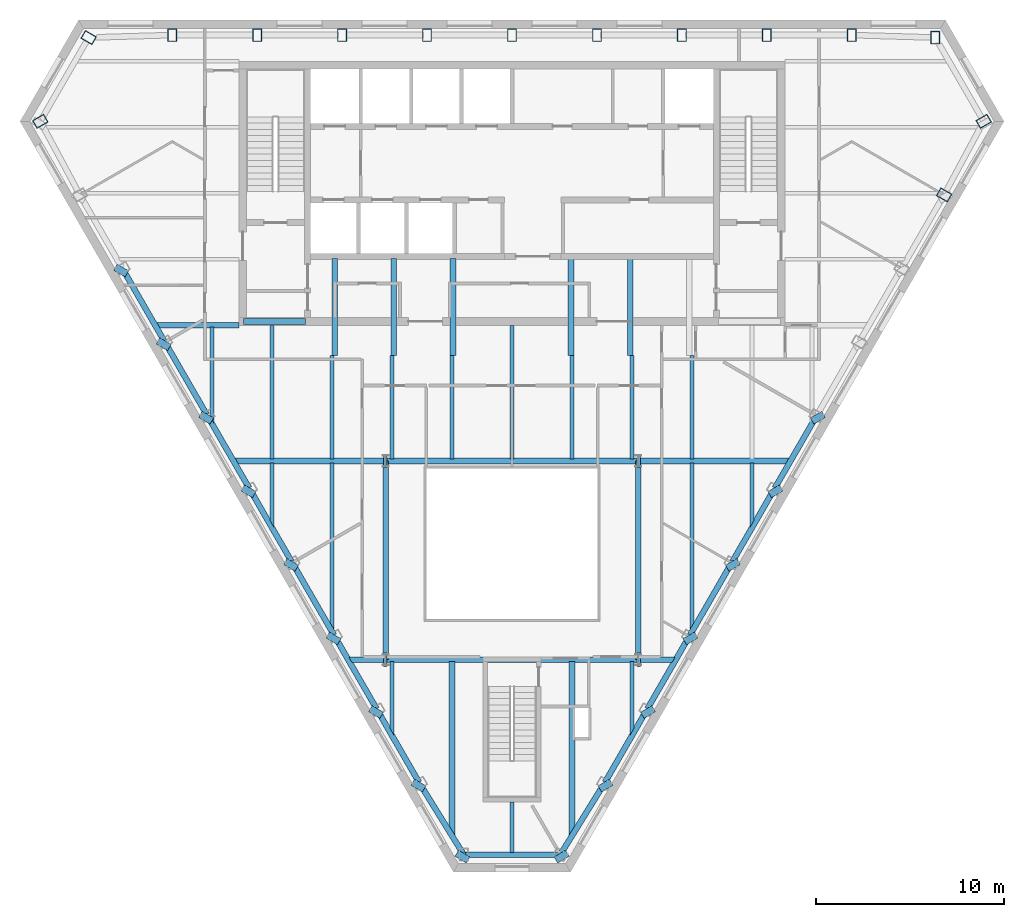
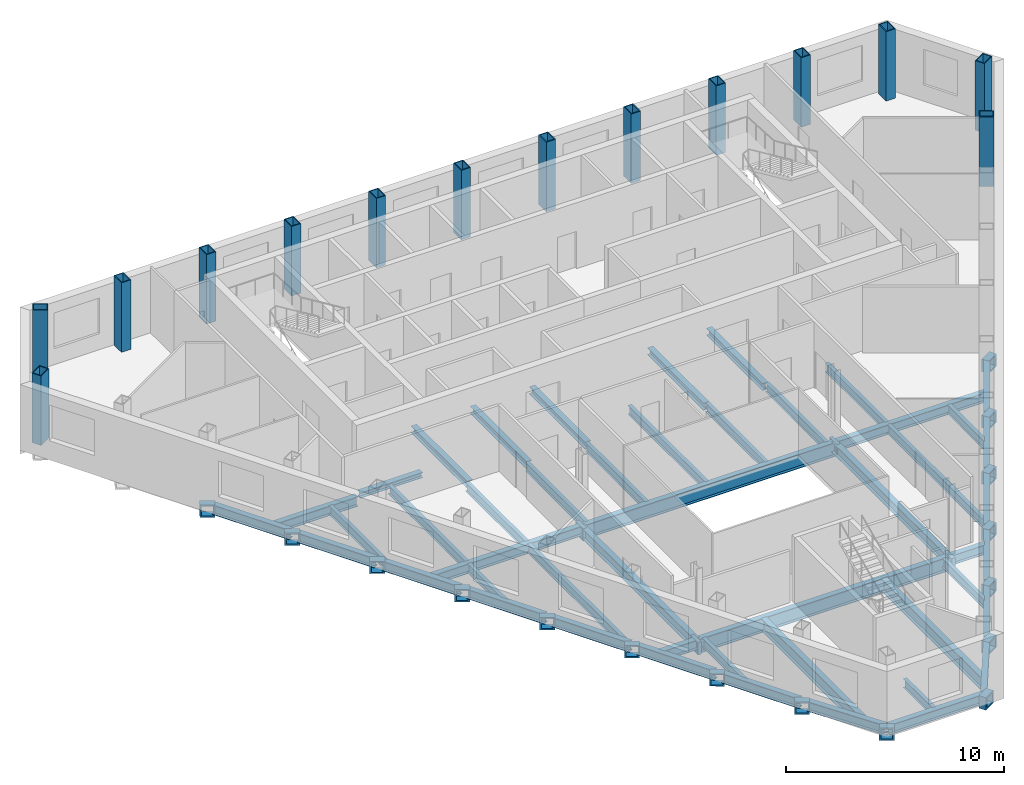
# One storey, part 2 of 10: 68 beams, 14 columns.
"""IFC4 building model written with IfcOpenShell, lengths in metres."""

from ifc_helpers import new_model, si_unit, direction, frame, origin, origin_2d, place, context, subcontext, project, spatial, hollow_rectangle, i_section, extrude, clip, halfspace, material, material_profile, profile_set, type_object, element, save


model = new_model("IFC4")

# Units and contexts
model_context = context("Model", 3, precision=1e-05, world=origin(), true_north=direction((0.0, 1.0)))
body_context = subcontext(model_context, "Body", "Model", "MODEL_VIEW")
ifc_project = project(units=[si_unit("LENGTHUNIT", "METRE"), si_unit("AREAUNIT", "SQUARE_METRE"), si_unit("VOLUMEUNIT", "CUBIC_METRE"), si_unit("PLANEANGLEUNIT", "RADIAN"), si_unit("MASSUNIT", "GRAM", prefix="KILO")], contexts=[model_context])

# Site, building, storey
site_placement = place(None, origin())
site = spatial("IfcSite", under=ifc_project, at=site_placement, CompositionType="ELEMENT")
building_placement = place(site_placement, origin())
building = spatial("IfcBuilding", under=site, at=building_placement, Name="Njiva Tower", CompositionType="ELEMENT")
storey_placement = place(building_placement, frame((0.0, 0.0, 245.4)))
storey = spatial("IfcBuildingStorey", under=building, at=storey_placement, Name="L55", CompositionType="ELEMENT", Elevation=245.4)

# Columns
ifc_material = material(Name="Steel S355 J2", Category="steel")
ifc_material_profile_1 = material_profile(ifc_material, hollow_rectangle(XDim=0.5, YDim=0.7, WallThickness=0.045, at=origin_2d()), Name="BOX 700x500x45")
ifc_profile_set_1 = profile_set([ifc_material_profile_1], Name="Steel S355 J2")
column_type = type_object("IfcColumnType", Name="C13 Perimeter tube column BOX 700x500x45", PredefinedType="COLUMN", material=ifc_profile_set_1)
for number, where, z_axis, x_axis, name in (
    (1, (22.466, 19.267, 0.0), (0.0, 0.0, 1.0), (-1.0, 0.0, 0.0), "Perimeter tube column S18-C01"),
    (2, (18.034, 19.4, 0.0), (0.0, 0.0, 1.0), (-1.0, 0.0, 0.0), "Perimeter tube column S18-C02"),
    (3, (13.526, 19.4, 0.0), (0.0, 0.0, 1.0), (-1.0, 0.0, 0.0), "Perimeter tube column S18-C03"),
    (4, (9.017, 19.4, 0.0), (0.0, 0.0, 1.0), (-1.0, 0.0, 0.0), "Perimeter tube column S18-C04"),
    (5, (4.509, 19.4, 0.0), (0.0, 0.0, 1.0), (-1.0, 0.0, 0.0), "Perimeter tube column S18-C05"),
    (6, (0.0, 19.4, 0.0), (0.0, 0.0, 1.0), (-1.0, 0.0, 0.0), "Perimeter tube column S18-C06"),
    (7, (-4.509, 19.4, 0.0), (0.0, 0.0, 1.0), (-1.0, 0.0, 0.0), "Perimeter tube column S18-C07"),
    (8, (-9.017, 19.4, 0.0), (0.0, 0.0, 1.0), (-1.0, 0.0, 0.0), "Perimeter tube column S18-C08"),
    (9, (-13.526, 19.4, 0.0), (0.0, 0.0, 1.0), (-1.0, 0.0, 0.0), "Perimeter tube column S18-C09"),
    (10, (-18.034, 19.4, 0.0), (0.0, 0.0, 1.0), (-1.0, 0.0, 0.0), "Perimeter tube column S18-C10"),
    (11, (-22.466, 19.267, 0.0), (0.0, 0.0, 1.0), (-0.5, -0.866025403784, 0.0), "Perimeter tube column S18-C11"),
    (12, (-25.033, 14.822, 0.0), (0.0, 0.0, 1.0), (0.5, -0.866025403784, 0.0), "Perimeter tube column S18-C12"),
    (13, (22.932, 10.917, 0.0), (0.0, 0.0, 1.0), (0.5, 0.866025403784, 0.0), "Perimeter tube column S18-C32"),
    (14, (25.033, 14.822, 0.0), (0.0, 0.0, 1.0), (-0.5, 0.866025403784, 0.0), "Perimeter tube column S18-C33"),
):
    element("IfcColumn", number, at=place(storey_placement, frame(where, z_axis=z_axis, x_axis=x_axis)), inside=storey, type_object=column_type, Name=name, PredefinedType="COLUMN", context=body_context, shape_type="SweptSolid", body=[
        extrude(hollow_rectangle(XDim=0.5, YDim=0.7, WallThickness=0.045, at=origin_2d()), origin(), (0.0, 0.0, 1.0), 3.9),
    ])

# Beams
ifc_material_profile_2 = material_profile(ifc_material, hollow_rectangle(XDim=0.7, YDim=0.7, WallThickness=0.08, at=origin_2d()), Name="BOX 700x700x80")
ifc_profile_set_2 = profile_set([ifc_material_profile_2], Name="Steel S355 J2")
beam_type_1 = type_object("IfcBeamType", Name="B19 Column jog beam BOX 700x700x80", PredefinedType="BEAM", material=ifc_profile_set_2)
beam_1_placement = place(storey_placement, frame((-20.833, 6.737, -0.55), z_axis=(0.489250974283, 0.872143041114, 0.0), x_axis=(-0.872143041114, 0.489250974283, 0.0)))
element("IfcBeam", 15, at=beam_1_placement, inside=storey, type_object=beam_type_1, Name="Column jog beam S18-B028", PredefinedType="BEAM", context=body_context, shape_type="SweptSolid", body=[
    extrude(hollow_rectangle(XDim=0.7, YDim=0.7, WallThickness=0.08, at=origin_2d()), origin(), (0.0, 0.0, 1.0), 0.3761),
])
for number, where, z_axis, x_axis, name in (
    (16, (-18.58, 2.834, -0.55), (0.497571005362, 0.86742324999, 0.0), (-0.86742324999, 0.497571005362, 0.0), "Column jog beam S18-B029"),
    (17, (-16.326, -1.07, -0.55), (0.497571005362, 0.86742324999, 0.0), (-0.86742324999, 0.497571005362, 0.0), "Column jog beam S18-B030"),
):
    element("IfcBeam", number, at=place(storey_placement, frame(where, z_axis=z_axis, x_axis=x_axis)), inside=storey, type_object=beam_type_1, Name=name, PredefinedType="BEAM", context=body_context, shape_type="SweptSolid", body=[
        extrude(hollow_rectangle(XDim=0.7, YDim=0.7, WallThickness=0.08, at=origin_2d()), origin(), (0.0, 0.0, 1.0), 0.3758),
    ])
beam_2_placement = place(storey_placement, frame((-14.072, -4.974, -0.55), z_axis=(0.498721639904, 0.866762208389, 0.0), x_axis=(-0.866762208389, 0.498721639904, 0.0)))
element("IfcBeam", 18, at=beam_2_placement, inside=storey, type_object=beam_type_1, Name="Column jog beam S18-B031", PredefinedType="BEAM", context=body_context, shape_type="SweptSolid", body=[
    extrude(hollow_rectangle(XDim=0.7, YDim=0.7, WallThickness=0.08, at=origin_2d()), origin(), (0.0, 0.0, 1.0), 0.375),
])
beam_3_placement = place(storey_placement, frame((-11.818, -8.877, -0.55), z_axis=(0.503038955879, 0.864263738027, 0.0), x_axis=(-0.864263738027, 0.503038955879, 0.0)))
element("IfcBeam", 19, at=beam_3_placement, inside=storey, type_object=beam_type_1, Name="Column jog beam S18-B032", PredefinedType="BEAM", context=body_context, shape_type="SweptSolid", body=[
    extrude(hollow_rectangle(XDim=0.7, YDim=0.7, WallThickness=0.08, at=origin_2d()), origin(), (0.0, 0.0, 1.0), 0.3737),
])
beam_4_placement = place(storey_placement, frame((-9.565, -12.781, -0.55), z_axis=(0.505033570699, 0.863099700189, 0.0), x_axis=(-0.863099700189, 0.505033570699, 0.0)))
element("IfcBeam", 20, at=beam_4_placement, inside=storey, type_object=beam_type_1, Name="Column jog beam S18-B033", PredefinedType="BEAM", context=body_context, shape_type="SweptSolid", body=[
    extrude(hollow_rectangle(XDim=0.7, YDim=0.7, WallThickness=0.08, at=origin_2d()), origin(), (0.0, 0.0, 1.0), 0.3742),
])
beam_5_placement = place(storey_placement, frame((-7.312, -16.685, -0.55), z_axis=(0.510168425615, 0.860074518577, 0.0), x_axis=(-0.860074518577, 0.510168425615, 0.0)))
element("IfcBeam", 21, at=beam_5_placement, inside=storey, type_object=beam_type_1, Name="Column jog beam S18-B034", PredefinedType="BEAM", context=body_context, shape_type="SweptSolid", body=[
    extrude(hollow_rectangle(XDim=0.7, YDim=0.7, WallThickness=0.08, at=origin_2d()), origin(), (0.0, 0.0, 1.0), 0.3744),
])
beam_6_placement = place(storey_placement, frame((-5.058, -20.589, -0.55), z_axis=(0.512140231813, 0.858901847104, 0.0), x_axis=(-0.858901847104, 0.512140231813, 0.0)))
element("IfcBeam", 22, at=beam_6_placement, inside=storey, type_object=beam_type_1, Name="Column jog beam S18-B037", PredefinedType="BEAM", context=body_context, shape_type="SweptSolid", body=[
    extrude(hollow_rectangle(XDim=0.7, YDim=0.7, WallThickness=0.08, at=origin_2d()), origin(), (0.0, 0.0, 1.0), 0.3749),
])
for number, where, z_axis, x_axis, name in (
    (23, (-2.727, -24.358, -0.55), (0.516869099034, 0.856064445275, 0.0), (-0.856064445275, 0.516869099034, 0.0), "Column jog beam S18-B038"),
    (24, (2.727, -24.358, -0.55), (-0.516869099034, 0.856064445275, 0.0), (-0.856064445275, -0.516869099034, 0.0), "Column jog beam S18-B039"),
):
    element("IfcBeam", number, at=place(storey_placement, frame(where, z_axis=z_axis, x_axis=x_axis)), inside=storey, type_object=beam_type_1, Name=name, PredefinedType="BEAM", context=body_context, shape_type="SweptSolid", body=[
        extrude(hollow_rectangle(XDim=0.7, YDim=0.7, WallThickness=0.08, at=origin_2d()), origin(), (0.0, 0.0, 1.0), 0.3715),
    ])
beam_7_placement = place(storey_placement, frame((5.058, -20.589, -0.55), z_axis=(-0.512140231813, 0.858901847104, 0.0), x_axis=(-0.858901847104, -0.512140231813, 0.0)))
element("IfcBeam", 25, at=beam_7_placement, inside=storey, type_object=beam_type_1, Name="Column jog beam S18-B040", PredefinedType="BEAM", context=body_context, shape_type="SweptSolid", body=[
    extrude(hollow_rectangle(XDim=0.7, YDim=0.7, WallThickness=0.08, at=origin_2d()), origin(), (0.0, 0.0, 1.0), 0.3749),
])
beam_8_placement = place(storey_placement, frame((7.312, -16.685, -0.55), z_axis=(-0.510168425615, 0.860074518577, 0.0), x_axis=(-0.860074518577, -0.510168425615, 0.0)))
element("IfcBeam", 26, at=beam_8_placement, inside=storey, type_object=beam_type_1, Name="Column jog beam S18-B043", PredefinedType="BEAM", context=body_context, shape_type="SweptSolid", body=[
    extrude(hollow_rectangle(XDim=0.7, YDim=0.7, WallThickness=0.08, at=origin_2d()), origin(), (0.0, 0.0, 1.0), 0.3744),
])
beam_9_placement = place(storey_placement, frame((9.565, -12.781, -0.55), z_axis=(-0.505033570699, 0.863099700189, 0.0), x_axis=(-0.863099700189, -0.505033570699, 0.0)))
element("IfcBeam", 27, at=beam_9_placement, inside=storey, type_object=beam_type_1, Name="Column jog beam S18-B044", PredefinedType="BEAM", context=body_context, shape_type="SweptSolid", body=[
    extrude(hollow_rectangle(XDim=0.7, YDim=0.7, WallThickness=0.08, at=origin_2d()), origin(), (0.0, 0.0, 1.0), 0.3742),
])
beam_10_placement = place(storey_placement, frame((11.818, -8.877, -0.55), z_axis=(-0.503038955879, 0.864263738027, 0.0), x_axis=(-0.864263738027, -0.503038955879, 0.0)))
element("IfcBeam", 28, at=beam_10_placement, inside=storey, type_object=beam_type_1, Name="Column jog beam S18-B045", PredefinedType="BEAM", context=body_context, shape_type="SweptSolid", body=[
    extrude(hollow_rectangle(XDim=0.7, YDim=0.7, WallThickness=0.08, at=origin_2d()), origin(), (0.0, 0.0, 1.0), 0.3737),
])
beam_11_placement = place(storey_placement, frame((14.072, -4.974, -0.55), z_axis=(-0.498721639904, 0.866762208389, 0.0), x_axis=(-0.866762208389, -0.498721639904, 0.0)))
element("IfcBeam", 29, at=beam_11_placement, inside=storey, type_object=beam_type_1, Name="Column jog beam S18-B046", PredefinedType="BEAM", context=body_context, shape_type="SweptSolid", body=[
    extrude(hollow_rectangle(XDim=0.7, YDim=0.7, WallThickness=0.08, at=origin_2d()), origin(), (0.0, 0.0, 1.0), 0.375),
])
beam_12_placement = place(storey_placement, frame((16.326, -1.07, -0.55), z_axis=(-0.497571005362, 0.86742324999, 0.0), x_axis=(-0.86742324999, -0.497571005362, 0.0)))
element("IfcBeam", 30, at=beam_12_placement, inside=storey, type_object=beam_type_1, Name="Column jog beam S18-B047", PredefinedType="BEAM", context=body_context, shape_type="SweptSolid", body=[
    extrude(hollow_rectangle(XDim=0.7, YDim=0.7, WallThickness=0.08, at=origin_2d()), origin(), (0.0, 0.0, 1.0), 0.3758),
])
for number, where, z_axis, x_axis, name in (
    (31, (6.83, -3.2, -0.55), (-1.0, 0.0, 0.0), (0.0, -1.0, 0.0), "Column jog beam S18-B042"),
    (32, (-6.83, -3.2, -0.55), (1.0, 0.0, 0.0), (0.0, 1.0, 0.0), "Column jog beam S18-B036"),
    (33, (6.83, -13.75, -0.55), (-1.0, 0.0, 0.0), (0.0, -1.0, 0.0), "Column jog beam S18-B041"),
    (34, (-6.83, -13.75, -0.55), (1.0, 0.0, 0.0), (0.0, 1.0, 0.0), "Column jog beam S18-B035"),
):
    element("IfcBeam", number, at=place(storey_placement, frame(where, z_axis=z_axis, x_axis=x_axis)), inside=storey, type_object=beam_type_1, Name=name, PredefinedType="BEAM", context=body_context, shape_type="SweptSolid", body=[
        extrude(hollow_rectangle(XDim=0.7, YDim=0.7, WallThickness=0.08, at=origin_2d()), origin(), (0.0, 0.0, 1.0), 0.19),
    ])
ifc_material_profile_3 = material_profile(ifc_material, i_section(OverallWidth=0.3, OverallDepth=0.69, WebThickness=0.0145, FlangeThickness=0.027, at=origin_2d()), Name="HEA 700")
ifc_profile_set_3 = profile_set([ifc_material_profile_3], Name="Steel S355 J2")
beam_type_2 = type_object("IfcBeamType", Name="B26 Floor joist HEA 700", PredefinedType="JOIST", material=ifc_profile_set_3)
beam_13_placement = place(storey_placement, frame((-3.183, -13.85, -0.545), z_axis=(0.0, -1.0, 0.0), x_axis=(1.0, 0.0, 0.0)))
element("IfcBeam", 35, at=beam_13_placement, inside=storey, type_object=beam_type_2, Name="Floor joist S18-B061", PredefinedType="JOIST", context=body_context, shape_type="Clipping", body=[
    clip(extrude(i_section(OverallWidth=0.3, OverallDepth=0.69, WebThickness=0.0145, FlangeThickness=0.027, at=origin_2d()), origin(), (0.0, 0.0, 1.0), 9.234), halfspace(frame((-0.0429, 0.0, 8.9834), z_axis=(-0.850624900762, 0.0, 0.525773029171), x_axis=(0.0, 1.0, 0.0)), False)),
])
beam_14_placement = place(storey_placement, frame((3.183, -13.85, -0.545), z_axis=(0.0, -1.0, 0.0), x_axis=(1.0, 0.0, 0.0)))
element("IfcBeam", 36, at=beam_14_placement, inside=storey, type_object=beam_type_2, Name="Floor joist S18-B066", PredefinedType="JOIST", context=body_context, shape_type="Clipping", body=[
    clip(extrude(i_section(OverallWidth=0.3, OverallDepth=0.69, WebThickness=0.0145, FlangeThickness=0.027, at=origin_2d()), origin(), (0.0, 0.0, 1.0), 9.234), halfspace(frame((0.0429, 0.0, 8.9834), z_axis=(0.850624900762, 0.0, 0.525773029171), x_axis=(0.0, 1.0, 0.0)), False)),
])
ifc_material_profile_4 = material_profile(ifc_material, i_section(OverallWidth=0.3, OverallDepth=0.59, WebThickness=0.013, FlangeThickness=0.025, at=origin_2d()), Name="HEA 600")
ifc_profile_set_4 = profile_set([ifc_material_profile_4], Name="Steel S355 J2")
beam_type_3 = type_object("IfcBeamType", Name="B30 Long-span atrium trimmer beam HEA 600", PredefinedType="BEAM", material=ifc_profile_set_4)
for number, where, z_axis, x_axis, name in (
    (37, (6.7, -13.75, -0.495), (0.0, 1.0, 0.0), (-1.0, 0.0, 0.0), "Long-span atrium trimmer beam S18-B082"),
    (38, (-6.7, -3.2, -0.495), (0.0, -1.0, 0.0), (1.0, 0.0, 0.0), "Long-span atrium trimmer beam S18-B078"),
):
    element("IfcBeam", number, at=place(storey_placement, frame(where, z_axis=z_axis, x_axis=x_axis)), inside=storey, type_object=beam_type_3, Name=name, PredefinedType="BEAM", context=body_context, shape_type="SweptSolid", body=[
        extrude(i_section(OverallWidth=0.3, OverallDepth=0.59, WebThickness=0.013, FlangeThickness=0.025, at=origin_2d()), origin(), (0.0, 0.0, 1.0), 10.55),
    ])
ifc_material_profile_5 = material_profile(ifc_material, i_section(OverallWidth=0.3, OverallDepth=0.3, WebThickness=0.011, FlangeThickness=0.019, at=origin_2d()), Name="HEB 300")
ifc_profile_set_5 = profile_set([ifc_material_profile_5], Name="Steel S355 J2")
beam_type_4 = type_object("IfcBeamType", Name="B35 Core wall transfer girder HEB 300", PredefinedType="BEAM", material=ifc_profile_set_5)
beam_15_placement = place(storey_placement, frame((-14.25, 4.2, -0.35), z_axis=(1.0, 0.0, 0.0), x_axis=(0.0, 1.0, 0.0)))
element("IfcBeam", 39, at=beam_15_placement, inside=storey, type_object=beam_type_4, Name="Core wall transfer girder S18-B001", PredefinedType="BEAM", context=body_context, shape_type="SweptSolid", body=[
    extrude(i_section(OverallWidth=0.3, OverallDepth=0.3, WebThickness=0.011, FlangeThickness=0.019, at=origin_2d()), origin(), (0.0, 0.0, 1.0), 3.3),
])
ifc_material_profile_6 = material_profile(ifc_material, i_section(OverallWidth=0.3, OverallDepth=0.54, WebThickness=0.0125, FlangeThickness=0.024, at=origin_2d()), Name="HEA 550")
ifc_profile_set_6 = profile_set([ifc_material_profile_6], Name="Steel S355 J2")
beam_type_5 = type_object("IfcBeamType", Name="B39 Short-span spandrel beam HEA 550", PredefinedType="SPANDREL", material=ifc_profile_set_6)
beam_16_placement = place(storey_placement, frame((-20.512, 6.727, -0.47), z_axis=(0.49988405051, -0.866092336905, 0.0), x_axis=(0.866092336905, 0.49988405051, 0.0)))
element("IfcBeam", 40, at=beam_16_placement, inside=storey, type_object=beam_type_5, Name="Short-span spandrel beam S18-B093", PredefinedType="SPANDREL", context=body_context, shape_type="SweptSolid", body=[
    extrude(i_section(OverallWidth=0.3, OverallDepth=0.54, WebThickness=0.0125, FlangeThickness=0.024, at=origin_2d()), origin(), (0.0, 0.0, 1.0), 4.107),
])
for number, where, z_axis, x_axis, name in (
    (41, (-18.259, 2.823, -0.47), (0.500066662559, -0.865986912717, 0.0), (0.865986912717, 0.500066662559, 0.0), "Short-span spandrel beam S18-B095"),
    (42, (-16.005, -1.081, -0.47), (0.500066662559, -0.865986912717, 0.0), (0.865986912717, 0.500066662559, 0.0), "Short-span spandrel beam S18-B099"),
    (43, (-13.751, -4.985, -0.47), (0.500066662559, -0.865986912717, 0.0), (0.865986912717, 0.500066662559, 0.0), "Short-span spandrel beam S18-B101"),
    (44, (-11.497, -8.888, -0.47), (0.500066662559, -0.865986912717, 0.0), (0.865986912717, 0.500066662559, 0.0), "Short-span spandrel beam S18-B105"),
    (45, (-9.244, -12.792, -0.47), (0.500066662559, -0.865986912717, 0.0), (0.865986912717, 0.500066662559, 0.0), "Short-span spandrel beam S18-B107"),
    (46, (-6.99, -16.696, -0.47), (0.500066662559, -0.865986912717, 0.0), (0.865986912717, 0.500066662559, 0.0), "Short-span spandrel beam S18-B110"),
):
    element("IfcBeam", number, at=place(storey_placement, frame(where, z_axis=z_axis, x_axis=x_axis)), inside=storey, type_object=beam_type_5, Name=name, PredefinedType="SPANDREL", context=body_context, shape_type="SweptSolid", body=[
        extrude(i_section(OverallWidth=0.3, OverallDepth=0.54, WebThickness=0.0125, FlangeThickness=0.024, at=origin_2d()), origin(), (0.0, 0.0, 1.0), 4.1075),
    ])
beam_17_placement = place(storey_placement, frame((-4.726, -20.597, -0.47), z_axis=(0.525822097538, -0.850594569546, 0.0), x_axis=(0.850594569546, 0.525822097538, 0.0)))
element("IfcBeam", 47, at=beam_17_placement, inside=storey, type_object=beam_type_5, Name="Short-span spandrel beam S18-B112", PredefinedType="SPANDREL", context=body_context, shape_type="Clipping", body=[
    clip(extrude(i_section(OverallWidth=0.3, OverallDepth=0.54, WebThickness=0.0125, FlangeThickness=0.024, at=origin_2d()), origin(), (0.0, 0.0, 1.0), 4.122), halfspace(frame((-0.0263, 0.0, 3.9927), z_axis=(-0.525822097538, 0.0, 0.850594569546), x_axis=(0.0, 1.0, 0.0)), False)),
])
beam_18_placement = place(storey_placement, frame((2.609, -24.022, -0.47), z_axis=(0.525773090437, 0.850624862894, 0.0), x_axis=(-0.850624862894, 0.525773090437, 0.0)))
element("IfcBeam", 48, at=beam_18_placement, inside=storey, type_object=beam_type_5, Name="Short-span spandrel beam S18-B117", PredefinedType="SPANDREL", context=body_context, shape_type="SweptSolid", body=[
    extrude(i_section(OverallWidth=0.3, OverallDepth=0.54, WebThickness=0.0125, FlangeThickness=0.024, at=origin_2d()), origin(), (0.0, 0.0, 1.0), 4.0265),
])
for number, where, z_axis, x_axis, name in (
    (49, (4.936, -20.253, -0.47), (0.500066662559, 0.865986912717, 0.0), (-0.865986912717, 0.500066662559, 0.0), "Short-span spandrel beam S18-B120"),
    (50, (7.19, -16.349, -0.47), (0.500066662559, 0.865986912717, 0.0), (-0.865986912717, 0.500066662559, 0.0), "Short-span spandrel beam S18-B122"),
    (51, (9.443, -12.445, -0.47), (0.500066662559, 0.865986912717, 0.0), (-0.865986912717, 0.500066662559, 0.0), "Short-span spandrel beam S18-B126"),
    (52, (11.697, -8.542, -0.47), (0.500066662559, 0.865986912717, 0.0), (-0.865986912717, 0.500066662559, 0.0), "Short-span spandrel beam S18-B128"),
    (53, (13.951, -4.638, -0.47), (0.500066662559, 0.865986912717, 0.0), (-0.865986912717, 0.500066662559, 0.0), "Short-span spandrel beam S18-B132"),
):
    element("IfcBeam", number, at=place(storey_placement, frame(where, z_axis=z_axis, x_axis=x_axis)), inside=storey, type_object=beam_type_5, Name=name, PredefinedType="SPANDREL", context=body_context, shape_type="SweptSolid", body=[
        extrude(i_section(OverallWidth=0.3, OverallDepth=0.54, WebThickness=0.0125, FlangeThickness=0.024, at=origin_2d()), origin(), (0.0, 0.0, 1.0), 4.1075),
    ])
ifc_material_profile_7 = material_profile(ifc_material, i_section(OverallWidth=0.3, OverallDepth=0.54, WebThickness=0.0125, FlangeThickness=0.024, at=origin_2d()), Name="HEA 550")
ifc_profile_set_7 = profile_set([ifc_material_profile_7], Name="Steel S355 J2")
beam_type_6 = type_object("IfcBeamType", Name="B40 Floor girder HEA 550", PredefinedType="BEAM", material=ifc_profile_set_7)
beam_19_placement = place(storey_placement, frame((-14.773, -3.2, -0.47), z_axis=(1.0, 0.0, 0.0), x_axis=(0.0, 1.0, 0.0)))
element("IfcBeam", 54, at=beam_19_placement, inside=storey, type_object=beam_type_6, Name="Floor girder S18-B021", PredefinedType="BEAM", context=body_context, shape_type="Clipping", body=[
    clip(extrude(i_section(OverallWidth=0.3, OverallDepth=0.54, WebThickness=0.0125, FlangeThickness=0.024, at=origin_2d()), origin(), (0.0, 0.0, 1.0), 8.073), halfspace(frame((-0.025, 0.0, 0.1217), z_axis=(-0.499998009787, 0.0, -0.866026552831), x_axis=(0.0, -1.0, 0.0)), False)),
])
beam_20_placement = place(storey_placement, frame((6.7, -3.2, -0.47), z_axis=(1.0, 0.0, 0.0), x_axis=(0.0, 1.0, 0.0)))
element("IfcBeam", 55, at=beam_20_placement, inside=storey, type_object=beam_type_6, Name="Floor girder S18-B024", PredefinedType="BEAM", context=body_context, shape_type="Clipping", body=[
    clip(extrude(i_section(OverallWidth=0.3, OverallDepth=0.54, WebThickness=0.0125, FlangeThickness=0.024, at=origin_2d()), origin(), (0.0, 0.0, 1.0), 8.073), halfspace(frame((-0.025, 0.0, 7.9513), z_axis=(-0.499998009787, 0.0, 0.866026552831), x_axis=(0.0, 1.0, 0.0)), False)),
])
ifc_material_profile_8 = material_profile(ifc_material, i_section(OverallWidth=0.3, OverallDepth=0.54, WebThickness=0.0125, FlangeThickness=0.024, at=origin_2d()), Name="HEA 550")
ifc_profile_set_8 = profile_set([ifc_material_profile_8], Name="Steel S355 J2")
beam_type_7 = type_object("IfcBeamType", Name="B41 Short-span floor girder HEA 550", PredefinedType="BEAM", material=ifc_profile_set_8)
beam_21_placement = place(storey_placement, frame((-8.682, -13.75, -0.47), z_axis=(1.0, 0.0, 0.0), x_axis=(0.0, 1.0, 0.0)))
element("IfcBeam", 56, at=beam_21_placement, inside=storey, type_object=beam_type_7, Name="Short-span floor girder S18-B022", PredefinedType="BEAM", context=body_context, shape_type="Clipping", body=[
    clip(extrude(i_section(OverallWidth=0.3, OverallDepth=0.54, WebThickness=0.0125, FlangeThickness=0.024, at=origin_2d()), origin(), (0.0, 0.0, 1.0), 1.982), halfspace(frame((-0.025, 0.0, 0.1217), z_axis=(-0.499998009787, 0.0, -0.866026552831), x_axis=(0.0, -1.0, 0.0)), False)),
])
beam_22_placement = place(storey_placement, frame((6.7, -13.75, -0.47), z_axis=(1.0, 0.0, 0.0), x_axis=(0.0, 1.0, 0.0)))
element("IfcBeam", 57, at=beam_22_placement, inside=storey, type_object=beam_type_7, Name="Short-span floor girder S18-B023", PredefinedType="BEAM", context=body_context, shape_type="Clipping", body=[
    clip(extrude(i_section(OverallWidth=0.3, OverallDepth=0.54, WebThickness=0.0125, FlangeThickness=0.024, at=origin_2d()), origin(), (0.0, 0.0, 1.0), 1.982), halfspace(frame((-0.025, 0.0, 1.8603), z_axis=(-0.499998009787, 0.0, 0.866026552831), x_axis=(0.0, 1.0, 0.0)), False)),
])
beam_23_placement = place(storey_placement, frame((-18.93, 4.0, -0.47), z_axis=(1.0, 0.0, 0.0), x_axis=(0.0, 1.0, 0.0)))
element("IfcBeam", 58, at=beam_23_placement, inside=storey, type_object=beam_type_7, Name="Short-span floor girder S18-B020", PredefinedType="BEAM", context=body_context, shape_type="Clipping", body=[
    clip(extrude(i_section(OverallWidth=0.3, OverallDepth=0.54, WebThickness=0.0125, FlangeThickness=0.024, at=origin_2d()), origin(), (0.0, 0.0, 1.0), 4.43), halfspace(frame((-0.025, 0.0, 0.1217), z_axis=(-0.499998009787, 0.0, -0.866026552831), x_axis=(0.0, -1.0, 0.0)), False)),
])
ifc_material_profile_9 = material_profile(ifc_material, i_section(OverallWidth=0.2, OverallDepth=0.5, WebThickness=0.0102, FlangeThickness=0.016, at=origin_2d()), Name="IPE 500")
ifc_profile_set_9 = profile_set([ifc_material_profile_9], Name="Steel S355 J2")
beam_type_8 = type_object("IfcBeamType", Name="B42 Short-span floor joist IPE 500", PredefinedType="JOIST", material=ifc_profile_set_9)
beam_24_placement = place(storey_placement, frame((-12.733, -3.3, -0.45), z_axis=(0.0, -1.0, 0.0), x_axis=(1.0, 0.0, 0.0)))
element("IfcBeam", 59, at=beam_24_placement, inside=storey, type_object=beam_type_8, Name="Short-span floor joist S18-B053", PredefinedType="JOIST", context=body_context, shape_type="Clipping", body=[
    clip(extrude(i_section(OverallWidth=0.2, OverallDepth=0.5, WebThickness=0.0102, FlangeThickness=0.016, at=origin_2d()), origin(), (0.0, 0.0, 1.0), 3.44), halfspace(frame((-0.0436, 0.0, 3.1721), z_axis=(-0.866026552831, 0.0, 0.499998009787), x_axis=(0.0, 1.0, 0.0)), False)),
])
beam_25_placement = place(storey_placement, frame((-6.367, -13.85, -0.45), z_axis=(0.0, -1.0, 0.0), x_axis=(1.0, 0.0, 0.0)))
element("IfcBeam", 60, at=beam_25_placement, inside=storey, type_object=beam_type_8, Name="Short-span floor joist S18-B058", PredefinedType="JOIST", context=body_context, shape_type="Clipping", body=[
    clip(extrude(i_section(OverallWidth=0.2, OverallDepth=0.5, WebThickness=0.0102, FlangeThickness=0.016, at=origin_2d()), origin(), (0.0, 0.0, 1.0), 3.917), halfspace(frame((-0.043, 0.0, 3.6495), z_axis=(-0.866026552831, 0.0, 0.499998009787), x_axis=(0.0, 1.0, 0.0)), False)),
])
beam_26_placement = place(storey_placement, frame((0.0, -21.3, -0.45), z_axis=(0.0, -1.0, 0.0), x_axis=(1.0, 0.0, 0.0)))
element("IfcBeam", 61, at=beam_26_placement, inside=storey, type_object=beam_type_8, Name="Short-span floor joist S18-B064", PredefinedType="JOIST", context=body_context, shape_type="SweptSolid", body=[
    extrude(i_section(OverallWidth=0.2, OverallDepth=0.5, WebThickness=0.0102, FlangeThickness=0.016, at=origin_2d()), origin(), (0.0, 0.0, 1.0), 2.691),
])
beam_27_placement = place(storey_placement, frame((6.367, -13.85, -0.45), z_axis=(0.0, -1.0, 0.0), x_axis=(1.0, 0.0, 0.0)))
element("IfcBeam", 62, at=beam_27_placement, inside=storey, type_object=beam_type_8, Name="Short-span floor joist S18-B069", PredefinedType="JOIST", context=body_context, shape_type="Clipping", body=[
    clip(extrude(i_section(OverallWidth=0.2, OverallDepth=0.5, WebThickness=0.0102, FlangeThickness=0.016, at=origin_2d()), origin(), (0.0, 0.0, 1.0), 3.917), halfspace(frame((0.043, 0.0, 3.6495), z_axis=(0.866026552831, 0.0, 0.499998009787), x_axis=(0.0, 1.0, 0.0)), False)),
])
beam_28_placement = place(storey_placement, frame((12.733, -3.3, -0.45), z_axis=(0.0, -1.0, 0.0), x_axis=(1.0, 0.0, 0.0)))
element("IfcBeam", 63, at=beam_28_placement, inside=storey, type_object=beam_type_8, Name="Short-span floor joist S18-B075", PredefinedType="JOIST", context=body_context, shape_type="Clipping", body=[
    clip(extrude(i_section(OverallWidth=0.2, OverallDepth=0.5, WebThickness=0.0102, FlangeThickness=0.016, at=origin_2d()), origin(), (0.0, 0.0, 1.0), 3.44), halfspace(frame((0.0436, 0.0, 3.1721), z_axis=(0.866026552831, 0.0, 0.499998009787), x_axis=(0.0, 1.0, 0.0)), False)),
])
ifc_material_profile_10 = material_profile(ifc_material, i_section(OverallWidth=0.2, OverallDepth=0.5, WebThickness=0.0102, FlangeThickness=0.016, at=origin_2d()), Name="IPE 500")
ifc_profile_set_10 = profile_set([ifc_material_profile_10], Name="Steel S355 J2")
beam_type_9 = type_object("IfcBeamType", Name="B43 Floor joist IPE 500", PredefinedType="JOIST", material=ifc_profile_set_10)
beam_29_placement = place(storey_placement, frame((-15.917, 3.9, -0.45), z_axis=(0.0, -1.0, 0.0), x_axis=(1.0, 0.0, 0.0)))
element("IfcBeam", 64, at=beam_29_placement, inside=storey, type_object=beam_type_9, Name="Floor joist S18-B052", PredefinedType="JOIST", context=body_context, shape_type="Clipping", body=[
    clip(extrude(i_section(OverallWidth=0.2, OverallDepth=0.5, WebThickness=0.0102, FlangeThickness=0.016, at=origin_2d()), origin(), (0.0, 0.0, 1.0), 5.126), halfspace(frame((-0.043, 0.0, 4.8584), z_axis=(-0.866026552831, 0.0, 0.499998009787), x_axis=(0.0, 1.0, 0.0)), False)),
])
beam_30_placement = place(storey_placement, frame((-12.733, 3.995, -0.45), z_axis=(0.0, -1.0, 0.0), x_axis=(1.0, 0.0, 0.0)))
element("IfcBeam", 65, at=beam_30_placement, inside=storey, type_object=beam_type_9, Name="Floor joist S18-B054", PredefinedType="JOIST", context=body_context, shape_type="SweptSolid", body=[
    extrude(i_section(OverallWidth=0.2, OverallDepth=0.5, WebThickness=0.0102, FlangeThickness=0.016, at=origin_2d()), origin(), (0.0, 0.0, 1.0), 7.095),
])
beam_31_placement = place(storey_placement, frame((-9.55, 2.4, -0.45), z_axis=(0.0, -1.0, 0.0), x_axis=(1.0, 0.0, 0.0)))
element("IfcBeam", 66, at=beam_31_placement, inside=storey, type_object=beam_type_9, Name="Floor joist S18-B056", PredefinedType="JOIST", context=body_context, shape_type="SweptSolid", body=[
    extrude(i_section(OverallWidth=0.2, OverallDepth=0.5, WebThickness=0.0102, FlangeThickness=0.016, at=origin_2d()), origin(), (0.0, 0.0, 1.0), 5.5),
])
beam_32_placement = place(storey_placement, frame((-9.55, -3.3, -0.45), z_axis=(0.0, -1.0, 0.0), x_axis=(1.0, 0.0, 0.0)))
element("IfcBeam", 67, at=beam_32_placement, inside=storey, type_object=beam_type_9, Name="Floor joist S18-B055", PredefinedType="JOIST", context=body_context, shape_type="Clipping", body=[
    clip(extrude(i_section(OverallWidth=0.2, OverallDepth=0.5, WebThickness=0.0102, FlangeThickness=0.016, at=origin_2d()), origin(), (0.0, 0.0, 1.0), 8.954), halfspace(frame((-0.0433, 0.0, 8.6858), z_axis=(-0.866026552831, 0.0, 0.499998009787), x_axis=(0.0, 1.0, 0.0)), False)),
])
for number, where, z_axis, x_axis, name in (
    (68, (-6.367, 2.4, -0.45), (0.0, -1.0, 0.0), (1.0, 0.0, 0.0), "Floor joist S18-B059"),
    (69, (-3.183, 2.4, -0.45), (0.0, -1.0, 0.0), (1.0, 0.0, 0.0), "Floor joist S18-B062"),
):
    element("IfcBeam", number, at=place(storey_placement, frame(where, z_axis=z_axis, x_axis=x_axis)), inside=storey, type_object=beam_type_9, Name=name, PredefinedType="JOIST", context=body_context, shape_type="SweptSolid", body=[
        extrude(i_section(OverallWidth=0.2, OverallDepth=0.5, WebThickness=0.0102, FlangeThickness=0.016, at=origin_2d()), origin(), (0.0, 0.0, 1.0), 5.5),
    ])
beam_33_placement = place(storey_placement, frame((0.0, 3.995, -0.45), z_axis=(0.0, -1.0, 0.0), x_axis=(1.0, 0.0, 0.0)))
element("IfcBeam", 70, at=beam_33_placement, inside=storey, type_object=beam_type_9, Name="Floor joist S18-B065", PredefinedType="JOIST", context=body_context, shape_type="SweptSolid", body=[
    extrude(i_section(OverallWidth=0.2, OverallDepth=0.5, WebThickness=0.0102, FlangeThickness=0.016, at=origin_2d()), origin(), (0.0, 0.0, 1.0), 7.095),
])
for number, where, z_axis, x_axis, name in (
    (71, (3.183, 2.4, -0.45), (0.0, -1.0, 0.0), (1.0, 0.0, 0.0), "Floor joist S18-B067"),
    (72, (6.367, 2.4, -0.45), (0.0, -1.0, 0.0), (1.0, 0.0, 0.0), "Floor joist S18-B070"),
    (73, (9.55, 2.4, -0.45), (0.0, -1.0, 0.0), (1.0, 0.0, 0.0), "Floor joist S18-B073"),
):
    element("IfcBeam", number, at=place(storey_placement, frame(where, z_axis=z_axis, x_axis=x_axis)), inside=storey, type_object=beam_type_9, Name=name, PredefinedType="JOIST", context=body_context, shape_type="SweptSolid", body=[
        extrude(i_section(OverallWidth=0.2, OverallDepth=0.5, WebThickness=0.0102, FlangeThickness=0.016, at=origin_2d()), origin(), (0.0, 0.0, 1.0), 5.5),
    ])
beam_34_placement = place(storey_placement, frame((9.55, -3.3, -0.45), z_axis=(0.0, -1.0, 0.0), x_axis=(1.0, 0.0, 0.0)))
element("IfcBeam", 74, at=beam_34_placement, inside=storey, type_object=beam_type_9, Name="Floor joist S18-B072", PredefinedType="JOIST", context=body_context, shape_type="Clipping", body=[
    clip(extrude(i_section(OverallWidth=0.2, OverallDepth=0.5, WebThickness=0.0102, FlangeThickness=0.016, at=origin_2d()), origin(), (0.0, 0.0, 1.0), 8.954), halfspace(frame((0.0433, 0.0, 8.6858), z_axis=(0.866026552831, 0.0, 0.499998009787), x_axis=(0.0, 1.0, 0.0)), False)),
])
ifc_material_profile_11 = material_profile(ifc_material, i_section(OverallWidth=0.3, OverallDepth=0.54, WebThickness=0.0125, FlangeThickness=0.024, at=origin_2d()), Name="HEA 550")
ifc_profile_set_11 = profile_set([ifc_material_profile_11], Name="Steel S355 J2")
beam_type_10 = type_object("IfcBeamType", Name="B44 Spandrel beam HEA 550", PredefinedType="SPANDREL", material=ifc_profile_set_11)
beam_35_placement = place(storey_placement, frame((-2.496, -24.091, -0.47), z_axis=(1.0, 0.0, 0.0), x_axis=(0.0, 1.0, 0.0)))
element("IfcBeam", 75, at=beam_35_placement, inside=storey, type_object=beam_type_10, Name="Spandrel beam S18-B114", PredefinedType="SPANDREL", context=body_context, shape_type="Clipping", body=[
    clip(extrude(i_section(OverallWidth=0.3, OverallDepth=0.54, WebThickness=0.0125, FlangeThickness=0.024, at=origin_2d()), origin(), (0.0, 0.0, 1.0), 5.077), halfspace(frame((-0.0247, 0.0, 4.956), z_axis=(-0.499998009787, 0.0, 0.866026552831), x_axis=(0.0, 1.0, 0.0)), False)),
])
ifc_material_profile_12 = material_profile(ifc_material, i_section(OverallWidth=0.3, OverallDepth=0.4, WebThickness=0.0135, FlangeThickness=0.024, at=origin_2d()), Name="HEB 400")
ifc_profile_set_12 = profile_set([ifc_material_profile_12], Name="Steel S355 J2")
beam_type_11 = type_object("IfcBeamType", Name="B46 Core wall transfer girder HEB 400", PredefinedType="BEAM", material=ifc_profile_set_12)
for number, where, z_axis, x_axis, name in (
    (76, (-9.4, 2.4, -0.4), (0.0, 1.0, 0.0), (-1.0, 0.0, 0.0), "Core wall transfer girder S18-B002"),
    (77, (-6.267, 2.4, -0.4), (0.0, 1.0, 0.0), (-1.0, 0.0, 0.0), "Core wall transfer girder S18-B003"),
    (78, (-3.133, 2.4, -0.4), (0.0, 1.0, 0.0), (-1.0, 0.0, 0.0), "Core wall transfer girder S18-B004"),
    (79, (3.133, 2.4, -0.4), (0.0, 1.0, 0.0), (-1.0, 0.0, 0.0), "Core wall transfer girder S18-B005"),
    (80, (6.267, 2.4, -0.4), (0.0, 1.0, 0.0), (-1.0, 0.0, 0.0), "Core wall transfer girder S18-B006"),
):
    element("IfcBeam", number, at=place(storey_placement, frame(where, z_axis=z_axis, x_axis=x_axis)), inside=storey, type_object=beam_type_11, Name=name, PredefinedType="BEAM", context=body_context, shape_type="SweptSolid", body=[
        extrude(i_section(OverallWidth=0.3, OverallDepth=0.4, WebThickness=0.0135, FlangeThickness=0.024, at=origin_2d()), origin(), (0.0, 0.0, 1.0), 5.15),
    ])
ifc_material_profile_13 = material_profile(ifc_material, i_section(OverallWidth=0.3, OverallDepth=0.79, WebThickness=0.015, FlangeThickness=0.028, at=origin_2d()), Name="HEA 800")
ifc_profile_set_13 = profile_set([ifc_material_profile_13], Name="Steel S355 J2")
beam_type_12 = type_object("IfcBeamType", Name="B9 Long-span atrium trimmer beam HEA 800", PredefinedType="BEAM", material=ifc_profile_set_13)
for number, where, z_axis, x_axis, name in (
    (81, (-6.7, -13.75, -0.595), (1.0, 0.0, 0.0), (0.0, 1.0, 0.0), "Long-span atrium trimmer beam S18-B079"),
    (82, (6.7, -3.2, -0.595), (-1.0, 0.0, 0.0), (0.0, -1.0, 0.0), "Long-span atrium trimmer beam S18-B081"),
):
    element("IfcBeam", number, at=place(storey_placement, frame(where, z_axis=z_axis, x_axis=x_axis)), inside=storey, type_object=beam_type_12, Name=name, PredefinedType="BEAM", context=body_context, shape_type="SweptSolid", body=[
        extrude(i_section(OverallWidth=0.3, OverallDepth=0.79, WebThickness=0.015, FlangeThickness=0.028, at=origin_2d()), origin(), (0.0, 0.0, 1.0), 13.4),
    ])

save(model, "model.ifc")
